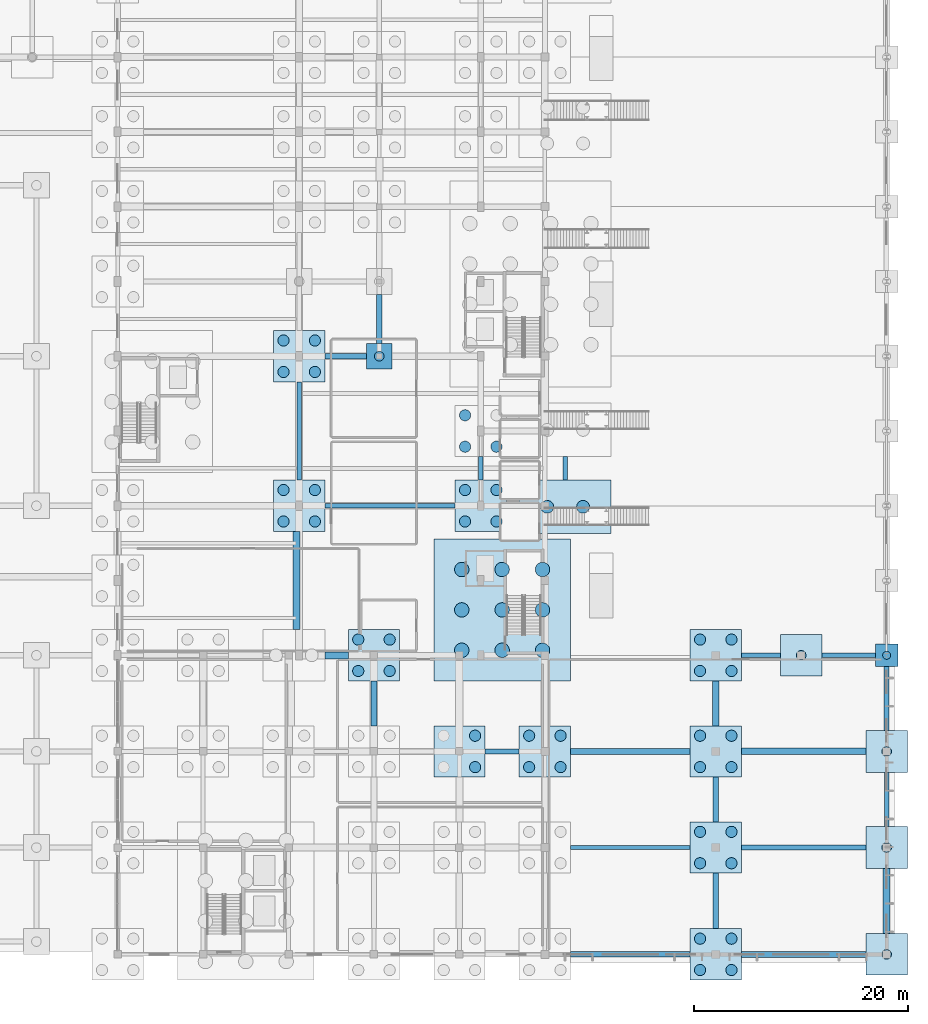
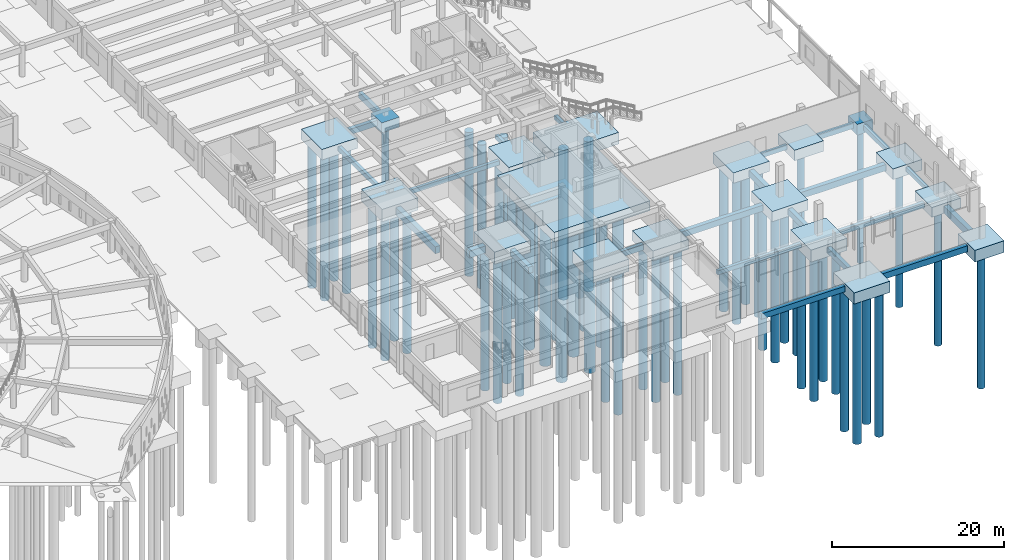
# One storey, part 9 of 84: 58 piles, 42 footings.
"""IFC4 building model written with IfcOpenShell, lengths in metres."""

from ifc_helpers import new_model, si_unit, direction, frame, origin, origin_2d, place, context, subcontext, project, spatial, rectangle, circle, extrude, material, material_profile, profile_set, type_object, element, save


model = new_model("IFC4")

# Units and contexts
model_context = context("Model", 3, precision=1e-05, world=origin(), true_north=direction((0.0, 1.0)))
body_context = subcontext(model_context, "Body", "Model", "MODEL_VIEW")
ifc_project = project(units=[si_unit("LENGTHUNIT", "METRE"), si_unit("AREAUNIT", "SQUARE_METRE"), si_unit("VOLUMEUNIT", "CUBIC_METRE"), si_unit("PLANEANGLEUNIT", "RADIAN"), si_unit("MASSUNIT", "GRAM", prefix="KILO")], contexts=[model_context])

# Site, building, storey
site_placement = place(None, origin())
site = spatial("IfcSite", under=ifc_project, at=site_placement, CompositionType="ELEMENT")
building_placement = place(site_placement, origin())
building = spatial("IfcBuilding", under=site, at=building_placement, Name="Larkveld Mobility Hub", CompositionType="ELEMENT")
storey_placement = place(building_placement, origin())
storey = spatial("IfcBuildingStorey", under=building, at=storey_placement, Name="L00", CompositionType="ELEMENT", Elevation=0.0)

# Footings
ifc_material = material(Name="Concrete C35/45", Category="concrete")
ifc_material_profile_1 = material_profile(ifc_material, rectangle(XDim=0.39990234375, YDim=0.60009765625, at=origin_2d()), Name="RC BM 400x600")
ifc_profile_set_1 = profile_set([ifc_material_profile_1], Name="Concrete C35/45")
footing_type_1 = type_object("IfcFootingType", Name="FT-FB01", PredefinedType="FOOTING_BEAM", material=ifc_profile_set_1)
footing_1_placement = place(storey_placement, frame((154.39990234375, 10.0, -0.64990234375), z_axis=(1.0, 0.0, 0.0), x_axis=(0.0, 1.0, 0.0)))
element("IfcFooting", 1, at=footing_1_placement, inside=storey, type_object=footing_type_1, Name="Ground Tie Beam GB-007", PredefinedType="FOOTING_BEAM", context=body_context, shape_type="SweptSolid", body=[
    extrude(rectangle(XDim=0.39990234375, YDim=0.60009765625, at=origin_2d()), origin(), (0.0, 0.0, 1.0), 11.2001953125),
])
footing_2_placement = place(storey_placement, frame((170.39990234375, 28.0, -0.64990234375), z_axis=(1.0, 0.0, 0.0), x_axis=(0.0, 1.0, 0.0)))
element("IfcFooting", 2, at=footing_2_placement, inside=storey, type_object=footing_type_1, Name="Ground Tie Beam GB-025", PredefinedType="FOOTING_BEAM", context=body_context, shape_type="SweptSolid", body=[
    extrude(rectangle(XDim=0.39990234375, YDim=0.60009765625, at=origin_2d()), origin(), (0.0, 0.0, 1.0), 3.650146484375),
])
footing_3_placement = place(storey_placement, frame((131.39990234375, 42.0, -0.64990234375), z_axis=(1.0, 0.0, 0.0), x_axis=(0.0, 1.0, 0.0)))
element("IfcFooting", 3, at=footing_3_placement, inside=storey, type_object=footing_type_1, Name="Ground Tie Beam GB-031", PredefinedType="FOOTING_BEAM", context=body_context, shape_type="SweptSolid", body=[
    extrude(rectangle(XDim=0.39990234375, YDim=0.60009765625, at=origin_2d()), origin(), (0.0, 0.0, 1.0), 12.2001953125),
])
footing_4_placement = place(storey_placement, frame((129.0, 44.39990234375, -0.64990234375), z_axis=(0.0, 1.0, 0.0), x_axis=(-1.0, 0.0, 0.0)))
element("IfcFooting", 4, at=footing_4_placement, inside=storey, type_object=footing_type_1, Name="Ground Tie Beam GB-157", PredefinedType="FOOTING_BEAM", context=body_context, shape_type="SweptSolid", body=[
    extrude(rectangle(XDim=0.39990234375, YDim=0.60009765625, at=origin_2d()), origin(), (0.0, 0.0, 1.0), 9.2001953125),
])
for number, where, z_axis, x_axis, name in (
    (5, (146.0, 44.39990234375, -0.64990234375), (0.0, 1.0, 0.0), (-1.0, 0.0, 0.0), "Ground Tie Beam GB-175"),
    (6, (153.89990234375, 44.39990234375, -0.64990234375), (0.0, 1.0, 0.0), (-1.0, 0.0, 0.0), "Ground Tie Beam GB-187"),
):
    element("IfcFooting", number, at=place(storey_placement, frame(where, z_axis=z_axis, x_axis=x_axis)), inside=storey, type_object=footing_type_1, Name=name, PredefinedType="FOOTING_BEAM", context=body_context, shape_type="SweptSolid", body=[
        extrude(rectangle(XDim=0.39990234375, YDim=0.60009765625, at=origin_2d()), origin(), (0.0, 0.0, 1.0), 2.2001953125),
    ])
footing_5_placement = place(storey_placement, frame((184.0, 11.949951171875, -0.64990234375), z_axis=(0.0, 1.0, 0.0), x_axis=(-1.0, 0.0, 0.0)))
element("IfcFooting", 7, at=footing_5_placement, inside=storey, type_object=footing_type_1, Name="Ground Tie Beam GB-193", PredefinedType="FOOTING_BEAM", context=body_context, shape_type="SweptSolid", body=[
    extrude(rectangle(XDim=0.39990234375, YDim=0.60009765625, at=origin_2d()), origin(), (0.0, 0.0, 1.0), 5.10009765625),
])
ifc_material_profile_2 = material_profile(ifc_material, rectangle(XDim=0.449951171875, YDim=0.699951171875, at=origin_2d()), Name="RC BM 450x700")
ifc_profile_set_2 = profile_set([ifc_material_profile_2], Name="Concrete C35/45")
footing_type_2 = type_object("IfcFootingType", Name="FT-FB02", PredefinedType="FOOTING_BEAM", material=ifc_profile_set_2)
footing_6_placement = place(storey_placement, frame((170.39990234375, 10.0, -0.699951171875), z_axis=(1.0, 0.0, 0.0), x_axis=(0.0, 1.0, 0.0)))
element("IfcFooting", 8, at=footing_6_placement, inside=storey, type_object=footing_type_2, Name="Ground Tie Beam GB-008", PredefinedType="FOOTING_BEAM", context=body_context, shape_type="SweptSolid", body=[
    extrude(rectangle(XDim=0.449951171875, YDim=0.699951171875, at=origin_2d()), origin(), (0.0, 0.0, 1.0), 11.650146484375),
])
footing_7_placement = place(storey_placement, frame((177.949951171875, 28.0, -0.699951171875), z_axis=(1.0, 0.0, 0.0), x_axis=(0.0, 1.0, 0.0)))
element("IfcFooting", 9, at=footing_7_placement, inside=storey, type_object=footing_type_2, Name="Ground Tie Beam GB-026", PredefinedType="FOOTING_BEAM", context=body_context, shape_type="SweptSolid", body=[
    extrude(rectangle(XDim=0.449951171875, YDim=0.699951171875, at=origin_2d()), origin(), (0.0, 0.0, 1.0), 5.0),
])
footing_8_placement = place(storey_placement, frame((184.0, 20.949951171875, -0.699951171875), z_axis=(0.0, 1.0, 0.0), x_axis=(-1.0, 0.0, 0.0)))
element("IfcFooting", 10, at=footing_8_placement, inside=storey, type_object=footing_type_2, Name="Ground Tie Beam GB-194", PredefinedType="FOOTING_BEAM", context=body_context, shape_type="SweptSolid", body=[
    extrude(rectangle(XDim=0.449951171875, YDim=0.699951171875, at=origin_2d()), origin(), (0.0, 0.0, 1.0), 6.0),
])
ifc_material_profile_3 = material_profile(ifc_material, rectangle(XDim=0.5, YDim=0.800048828125, at=origin_2d()), Name="RC BM 500x800")
ifc_profile_set_3 = profile_set([ifc_material_profile_3], Name="Concrete C35/45")
footing_type_3 = type_object("IfcFootingType", Name="FT-FB03", PredefinedType="FOOTING_BEAM", material=ifc_profile_set_3)
footing_9_placement = place(storey_placement, frame((154.39990234375, 0.0, -0.75), z_axis=(1.0, 0.0, 0.0), x_axis=(0.0, 1.0, 0.0)))
element("IfcFooting", 11, at=footing_9_placement, inside=storey, type_object=footing_type_3, Name="Ground Tie Beam GB-003", PredefinedType="FOOTING_BEAM", context=body_context, shape_type="SweptSolid", body=[
    extrude(rectangle(XDim=0.5, YDim=0.800048828125, at=origin_2d()), origin(), (0.0, 0.0, 1.0), 11.2001953125),
])
footing_10_placement = place(storey_placement, frame((146.39990234375, 19.0, -0.75), z_axis=(1.0, 0.0, 0.0), x_axis=(0.0, 1.0, 0.0)))
element("IfcFooting", 12, at=footing_10_placement, inside=storey, type_object=footing_type_3, Name="Ground Tie Beam GB-015", PredefinedType="FOOTING_BEAM", context=body_context, shape_type="SweptSolid", body=[
    extrude(rectangle(XDim=0.5, YDim=0.800048828125, at=origin_2d()), origin(), (0.0, 0.0, 1.0), 3.2001953125),
])
footing_11_placement = place(storey_placement, frame((168.0, 2.39990234375, -0.75), z_axis=(0.0, 1.0, 0.0), x_axis=(-1.0, 0.0, 0.0)))
element("IfcFooting", 13, at=footing_11_placement, inside=storey, type_object=footing_type_3, Name="Ground Tie Beam GB-189", PredefinedType="FOOTING_BEAM", context=body_context, shape_type="SweptSolid", body=[
    extrude(rectangle(XDim=0.5, YDim=0.800048828125, at=origin_2d()), origin(), (0.0, 0.0, 1.0), 5.2001953125),
])
footing_12_placement = place(storey_placement, frame((131.39990234375, 56.0, -0.580078125), z_axis=(1.0, 0.0, 0.0), x_axis=(0.0, 1.0, 0.0)))
element("IfcFooting", 14, at=footing_12_placement, inside=storey, type_object=footing_type_3, Name="Passage Ground Tie Beam PGB-011", PredefinedType="FOOTING_BEAM", context=body_context, shape_type="SweptSolid", body=[
    extrude(rectangle(XDim=0.5, YDim=0.800048828125, at=origin_2d()), origin(), (0.0, 0.0, 1.0), 3.900146484375),
])
footing_13_placement = place(storey_placement, frame((136.5, 57.199951171875, -0.580078125), z_axis=(0.0, 1.0, 0.0), x_axis=(-1.0, 0.0, 0.0)))
element("IfcFooting", 15, at=footing_13_placement, inside=storey, type_object=footing_type_3, Name="Passage Ground Tie Beam PGB-030", PredefinedType="FOOTING_BEAM", context=body_context, shape_type="SweptSolid", body=[
    extrude(rectangle(XDim=0.5, YDim=0.800048828125, at=origin_2d()), origin(), (0.0, 0.0, 1.0), 4.60009765625),
])
ifc_material_profile_4 = material_profile(ifc_material, rectangle(XDim=0.550048828125, YDim=0.85009765625, at=origin_2d()), Name="RC BM 550x850")
ifc_profile_set_4 = profile_set([ifc_material_profile_4], Name="Concrete C35/45")
footing_type_4 = type_object("IfcFootingType", Name="FT-FB04", PredefinedType="FOOTING_BEAM", material=ifc_profile_set_4)
footing_14_placement = place(storey_placement, frame((170.39990234375, 0.0, -0.77490234375), z_axis=(1.0, 0.0, 0.0), x_axis=(0.0, 1.0, 0.0)))
element("IfcFooting", 16, at=footing_14_placement, inside=storey, type_object=footing_type_4, Name="Ground Tie Beam GB-004", PredefinedType="FOOTING_BEAM", context=body_context, shape_type="SweptSolid", body=[
    extrude(rectangle(XDim=0.550048828125, YDim=0.85009765625, at=origin_2d()), origin(), (0.0, 0.0, 1.0), 11.650146484375),
])
footing_15_placement = place(storey_placement, frame((154.39990234375, 19.0, -0.77490234375), z_axis=(1.0, 0.0, 0.0), x_axis=(0.0, 1.0, 0.0)))
element("IfcFooting", 17, at=footing_15_placement, inside=storey, type_object=footing_type_4, Name="Ground Tie Beam GB-016", PredefinedType="FOOTING_BEAM", context=body_context, shape_type="SweptSolid", body=[
    extrude(rectangle(XDim=0.550048828125, YDim=0.85009765625, at=origin_2d()), origin(), (0.0, 0.0, 1.0), 11.2001953125),
])
footing_16_placement = place(storey_placement, frame((168.0, 12.39990234375, -0.77490234375), z_axis=(0.0, 1.0, 0.0), x_axis=(-1.0, 0.0, 0.0)))
element("IfcFooting", 18, at=footing_16_placement, inside=storey, type_object=footing_type_4, Name="Ground Tie Beam GB-190", PredefinedType="FOOTING_BEAM", context=body_context, shape_type="SweptSolid", body=[
    extrude(rectangle(XDim=0.550048828125, YDim=0.85009765625, at=origin_2d()), origin(), (0.0, 0.0, 1.0), 4.2001953125),
])
ifc_material_profile_5 = material_profile(ifc_material, rectangle(XDim=0.60009765625, YDim=0.89990234375, at=origin_2d()), Name="RC BM 600x900")
ifc_profile_set_5 = profile_set([ifc_material_profile_5], Name="Concrete C35/45")
footing_type_5 = type_object("IfcFootingType", Name="FT-FB05", PredefinedType="FOOTING_BEAM", material=ifc_profile_set_5)
footing_17_placement = place(storey_placement, frame((170.39990234375, 19.0, -0.800048828125), z_axis=(1.0, 0.0, 0.0), x_axis=(0.0, 1.0, 0.0)))
element("IfcFooting", 19, at=footing_17_placement, inside=storey, type_object=footing_type_5, Name="Ground Tie Beam GB-017", PredefinedType="FOOTING_BEAM", context=body_context, shape_type="SweptSolid", body=[
    extrude(rectangle(XDim=0.60009765625, YDim=0.89990234375, at=origin_2d()), origin(), (0.0, 0.0, 1.0), 11.650146484375),
])
for number, where, z_axis, x_axis, name in (
    (20, (136.0, 21.39990234375, -0.800048828125), (0.0, 1.0, 0.0), (-1.0, 0.0, 0.0), "Ground Tie Beam GB-167"),
    (21, (168.0, 21.39990234375, -0.800048828125), (0.0, 1.0, 0.0), (-1.0, 0.0, 0.0), "Ground Tie Beam GB-191"),
):
    element("IfcFooting", number, at=place(storey_placement, frame(where, z_axis=z_axis, x_axis=x_axis)), inside=storey, type_object=footing_type_5, Name=name, PredefinedType="FOOTING_BEAM", context=body_context, shape_type="SweptSolid", body=[
        extrude(rectangle(XDim=0.60009765625, YDim=0.89990234375, at=origin_2d()), origin(), (0.0, 0.0, 1.0), 4.2001953125),
    ])
ifc_material_profile_6 = material_profile(ifc_material, rectangle(XDim=0.64990234375, YDim=1.0, at=origin_2d()), Name="RC BM 650x1000")
ifc_profile_set_6 = profile_set([ifc_material_profile_6], Name="Concrete C35/45")
footing_type_6 = type_object("IfcFootingType", Name="FT-FB06", PredefinedType="FOOTING_BEAM", material=ifc_profile_set_6)
footing_18_placement = place(storey_placement, frame((131.39990234375, 28.0, -0.85009765625), z_axis=(1.0, 0.0, 0.0), x_axis=(0.0, 1.0, 0.0)))
element("IfcFooting", 22, at=footing_18_placement, inside=storey, type_object=footing_type_6, Name="Ground Tie Beam GB-024", PredefinedType="FOOTING_BEAM", context=body_context, shape_type="SweptSolid", body=[
    extrude(rectangle(XDim=0.64990234375, YDim=1.0, at=origin_2d()), origin(), (0.0, 0.0, 1.0), 2.2001953125),
])
footing_19_placement = place(storey_placement, frame((128.75, 30.39990234375, -0.85009765625), z_axis=(0.0, 1.0, 0.0), x_axis=(-1.0, 0.0, 0.0)))
element("IfcFooting", 23, at=footing_19_placement, inside=storey, type_object=footing_type_6, Name="Ground Tie Beam GB-156", PredefinedType="FOOTING_BEAM", context=body_context, shape_type="SweptSolid", body=[
    extrude(rectangle(XDim=0.64990234375, YDim=1.0, at=origin_2d()), origin(), (0.0, 0.0, 1.0), 9.2001953125),
])
footing_20_placement = place(storey_placement, frame((184.0, 1.949951171875, -0.85009765625), z_axis=(0.0, 1.0, 0.0), x_axis=(-1.0, 0.0, 0.0)))
element("IfcFooting", 24, at=footing_20_placement, inside=storey, type_object=footing_type_6, Name="Ground Tie Beam GB-192", PredefinedType="FOOTING_BEAM", context=body_context, shape_type="SweptSolid", body=[
    extrude(rectangle(XDim=0.64990234375, YDim=1.0, at=origin_2d()), origin(), (0.0, 0.0, 1.0), 6.10009765625),
])
footing_type_7 = type_object("IfcFootingType", Name="FT-PC01", PredefinedType="PILE_CAP", material=ifc_material)
footing_21_placement = place(storey_placement, frame((184.0, 10.0, -1.39990234375), z_axis=(0.0, 0.0, 1.0), x_axis=(1.0, 0.0, 0.0)))
element("IfcFooting", 25, at=footing_21_placement, inside=storey, type_object=footing_type_7, Name="Pile Cap PC-017", PredefinedType="PILE_CAP", context=body_context, shape_type="SweptSolid", body=[
    extrude(rectangle(XDim=3.89990234375, YDim=3.89990234375, at=origin_2d()), origin(), (0.0, 0.0, 1.0), 1.39990234375),
])
footing_22_placement = place(storey_placement, frame((152.0, 19.0, -1.39990234375), z_axis=(0.0, 0.0, 1.0), x_axis=(1.0, 0.0, 0.0)))
element("IfcFooting", 26, at=footing_22_placement, inside=storey, type_object=footing_type_7, Name="Pile Cap PC-033", PredefinedType="PILE_CAP", context=body_context, shape_type="SweptSolid", body=[
    extrude(rectangle(XDim=4.800048828125, YDim=4.800048828125, at=origin_2d()), origin(), (0.0, 0.0, 1.0), 1.39990234375),
])
footing_23_placement = place(storey_placement, frame((148.0, 32.25, -1.39990234375), z_axis=(0.0, 0.0, 1.0), x_axis=(1.0, 0.0, 0.0)))
element("IfcFooting", 27, at=footing_23_placement, inside=storey, type_object=footing_type_7, Name="Pile Cap PC-049", PredefinedType="PILE_CAP", context=body_context, shape_type="SweptSolid", body=[
    extrude(rectangle(XDim=12.800048828125, YDim=13.300048828125, at=origin_2d()), origin(), (0.0, 0.0, 1.0), 1.39990234375),
])
footing_type_8 = type_object("IfcFootingType", Name="FT-PC02", PredefinedType="PILE_CAP", material=ifc_material)
for number, where, z_axis, x_axis, name in (
    (28, (168.0, 19.0, -1.4501953125), (0.0, 0.0, 1.0), (1.0, 0.0, 0.0), "Pile Cap PC-034"),
    (29, (168.0, 28.0, -1.4501953125), (0.0, 0.0, 1.0), (1.0, 0.0, 0.0), "Pile Cap PC-050"),
):
    element("IfcFooting", number, at=place(storey_placement, frame(where, z_axis=z_axis, x_axis=x_axis)), inside=storey, type_object=footing_type_8, Name=name, PredefinedType="PILE_CAP", context=body_context, shape_type="SweptSolid", body=[
        extrude(rectangle(XDim=4.800048828125, YDim=4.800048828125, at=origin_2d()), origin(), (0.0, 0.0, 1.0), 1.449951171875),
    ])
footing_type_9 = type_object("IfcFootingType", Name="FT-PC03", PredefinedType="PILE_CAP", material=ifc_material)
for number, where, z_axis, x_axis, name in (
    (30, (184.0, 19.0, -1.5), (0.0, 0.0, 1.0), (1.0, 0.0, 0.0), "Pile Cap PC-035"),
    (31, (176.0, 28.0, -1.5), (0.0, 0.0, 1.0), (1.0, 0.0, 0.0), "Pile Cap PC-051"),
):
    element("IfcFooting", number, at=place(storey_placement, frame(where, z_axis=z_axis, x_axis=x_axis)), inside=storey, type_object=footing_type_9, Name=name, PredefinedType="PILE_CAP", context=body_context, shape_type="SweptSolid", body=[
        extrude(rectangle(XDim=3.89990234375, YDim=3.89990234375, at=origin_2d()), origin(), (0.0, 0.0, 1.0), 1.5),
    ])
footing_type_10 = type_object("IfcFootingType", Name="FT-PC04", PredefinedType="PILE_CAP", material=ifc_material)
footing_24_placement = place(storey_placement, frame((184.0, 28.0, -1.5498046875), z_axis=(0.0, 0.0, 1.0), x_axis=(1.0, 0.0, 0.0)))
element("IfcFooting", 32, at=footing_24_placement, inside=storey, type_object=footing_type_10, Name="Pile Cap PC-052", PredefinedType="PILE_CAP", context=body_context, shape_type="SweptSolid", body=[
    extrude(rectangle(XDim=2.10009765625, YDim=2.10009765625, at=origin_2d()), origin(), (0.0, 0.0, 1.0), 1.550048828125),
])
footing_type_11 = type_object("IfcFootingType", Name="FT-PC06", PredefinedType="PILE_CAP", material=ifc_material)
footing_25_placement = place(storey_placement, frame((168.0, 0.0, -1.60009765625), z_axis=(0.0, 0.0, 1.0), x_axis=(1.0, 0.0, 0.0)))
element("IfcFooting", 33, at=footing_25_placement, inside=storey, type_object=footing_type_11, Name="Pile Cap PC-006", PredefinedType="PILE_CAP", context=body_context, shape_type="SweptSolid", body=[
    extrude(rectangle(XDim=4.800048828125, YDim=4.800048828125, at=origin_2d()), origin(), (0.0, 0.0, 1.0), 1.60009765625),
])
footing_type_12 = type_object("IfcFootingType", Name="FT-PC07", PredefinedType="PILE_CAP", material=ifc_material)
footing_26_placement = place(storey_placement, frame((184.0, 0.0, -1.64990234375), z_axis=(0.0, 0.0, 1.0), x_axis=(1.0, 0.0, 0.0)))
element("IfcFooting", 34, at=footing_26_placement, inside=storey, type_object=footing_type_12, Name="Pile Cap PC-007", PredefinedType="PILE_CAP", context=body_context, shape_type="SweptSolid", body=[
    extrude(rectangle(XDim=3.89990234375, YDim=3.89990234375, at=origin_2d()), origin(), (0.0, 0.0, 1.0), 1.64990234375),
])
footing_27_placement = place(storey_placement, frame((153.89990234375, 41.89990234375, -1.64990234375), z_axis=(0.0, 0.0, 1.0), x_axis=(1.0, 0.0, 0.0)))
element("IfcFooting", 35, at=footing_27_placement, inside=storey, type_object=footing_type_12, Name="Pile Cap PC-071", PredefinedType="PILE_CAP", context=body_context, shape_type="SweptSolid", body=[
    extrude(rectangle(XDim=8.60009765625, YDim=5.0, at=origin_2d()), origin(), (0.0, 0.0, 1.0), 1.64990234375),
])
footing_type_13 = type_object("IfcFootingType", Name="FT-PC09", PredefinedType="PILE_CAP", material=ifc_material)
footing_28_placement = place(storey_placement, frame((129.0, 42.0, -1.75), z_axis=(0.0, 0.0, 1.0), x_axis=(1.0, 0.0, 0.0)))
element("IfcFooting", 36, at=footing_28_placement, inside=storey, type_object=footing_type_13, Name="Pile Cap PC-073", PredefinedType="PILE_CAP", context=body_context, shape_type="SweptSolid", body=[
    extrude(rectangle(XDim=4.800048828125, YDim=4.800048828125, at=origin_2d()), origin(), (0.0, 0.0, 1.0), 1.75),
])
footing_type_14 = type_object("IfcFootingType", Name="FT-PC10", PredefinedType="PILE_CAP", material=ifc_material)
footing_29_placement = place(storey_placement, frame((146.0, 42.0, -1.75), z_axis=(0.0, 0.0, 1.0), x_axis=(1.0, 0.0, 0.0)))
element("IfcFooting", 37, at=footing_29_placement, inside=storey, type_object=footing_type_14, Name="Pile Cap PC-074", PredefinedType="PILE_CAP", context=body_context, shape_type="SweptSolid", body=[
    extrude(rectangle(XDim=4.800048828125, YDim=4.800048828125, at=origin_2d()), origin(), (0.0, 0.0, 1.0), 1.75),
])
footing_type_15 = type_object("IfcFootingType", Name="FT-PC13", PredefinedType="PILE_CAP", material=ifc_material)
footing_30_placement = place(storey_placement, frame((136.5, 56.0, -1.419921875), z_axis=(0.0, 0.0, 1.0), x_axis=(1.0, 0.0, 0.0)))
element("IfcFooting", 38, at=footing_30_placement, inside=storey, type_object=footing_type_15, Name="Plinth Pile Cap PC-DL04", PredefinedType="PILE_CAP", context=body_context, shape_type="SweptSolid", body=[
    extrude(rectangle(XDim=2.39990234375, YDim=2.39990234375, at=origin_2d()), origin(), (0.0, 0.0, 1.0), 1.419921875),
])
footing_type_16 = type_object("IfcFootingType", Name="FT-PC14", PredefinedType="PILE_CAP", material=ifc_material)
footing_31_placement = place(storey_placement, frame((129.0, 56.0, -1.47998046875), z_axis=(0.0, 0.0, 1.0), x_axis=(1.0, 0.0, 0.0)))
element("IfcFooting", 39, at=footing_31_placement, inside=storey, type_object=footing_type_16, Name="Pile Cap PC-094", PredefinedType="PILE_CAP", context=body_context, shape_type="SweptSolid", body=[
    extrude(rectangle(XDim=4.800048828125, YDim=4.800048828125, at=origin_2d()), origin(), (0.0, 0.0, 1.0), 1.47998046875),
])
footing_type_17 = type_object("IfcFootingType", Name="FT-PC16", PredefinedType="PILE_CAP", material=ifc_material)
for number, where, z_axis, x_axis, name in (
    (40, (168.0, 10.0, -1.72021484375), (0.0, 0.0, 1.0), (1.0, 0.0, 0.0), "Pile Cap PC-016"),
    (41, (144.0, 19.0, -1.72021484375), (0.0, 0.0, 1.0), (1.0, 0.0, 0.0), "Pile Cap PC-032"),
    (42, (136.0, 28.0, -1.72021484375), (0.0, 0.0, 1.0), (1.0, 0.0, 0.0), "Pile Cap PC-048"),
):
    element("IfcFooting", number, at=place(storey_placement, frame(where, z_axis=z_axis, x_axis=x_axis)), inside=storey, type_object=footing_type_17, Name=name, PredefinedType="PILE_CAP", context=body_context, shape_type="SweptSolid", body=[
        extrude(rectangle(XDim=4.800048828125, YDim=4.800048828125, at=origin_2d()), origin(), (0.0, 0.0, 1.0), 1.719970703125),
    ])

# Piles
ifc_material_profile_7 = material_profile(ifc_material, circle(Radius=0.375, at=origin_2d()), Name="PILE D750")
ifc_profile_set_7 = profile_set([ifc_material_profile_7], Name="Concrete C35/45")
pile_type_1 = type_object("IfcPileType", Name="PL-B0750", PredefinedType="BORED", material=ifc_profile_set_7)
pile_1_placement = place(storey_placement, frame((184.0, 28.0, -1.449951171875), z_axis=(0.0, 0.0, -1.0), x_axis=(1.0, 0.0, 0.0)))
element("IfcPile", 43, at=pile_1_placement, inside=storey, type_object=pile_type_1, Name="Bored Pile P-0180", PredefinedType="BORED", context=body_context, shape_type="SweptSolid", body=[
    extrude(circle(Radius=0.375, at=origin_2d()), origin(), (0.0, 0.0, 1.0), 19.050048828125),
])
ifc_material_profile_8 = material_profile(ifc_material, circle(Radius=0.449951171875, at=origin_2d()), Name="PILE D900")
ifc_profile_set_8 = profile_set([ifc_material_profile_8], Name="Concrete C35/45")
pile_type_2 = type_object("IfcPileType", Name="PL-B0900", PredefinedType="BORED", material=ifc_profile_set_8)
pile_2_placement = place(storey_placement, frame((184.0, 0.0, -1.550048828125), z_axis=(0.0, 0.0, -1.0), x_axis=(1.0, 0.0, 0.0)))
element("IfcPile", 44, at=pile_2_placement, inside=storey, type_object=pile_type_2, Name="Bored Pile P-0033", PredefinedType="BORED", context=body_context, shape_type="SweptSolid", body=[
    extrude(circle(Radius=0.449951171875, at=origin_2d()), origin(), (0.0, 0.0, 1.0), 19.64990234375),
])
pile_3_placement = place(storey_placement, frame((184.0, 10.0, -1.300048828125), z_axis=(0.0, 0.0, -1.0), x_axis=(1.0, 0.0, 0.0)))
element("IfcPile", 45, at=pile_3_placement, inside=storey, type_object=pile_type_2, Name="Bored Pile P-0070", PredefinedType="BORED", context=body_context, shape_type="SweptSolid", body=[
    extrude(circle(Radius=0.449951171875, at=origin_2d()), origin(), (0.0, 0.0, 1.0), 19.89990234375),
])
for number, where, z_axis, x_axis, name in (
    (46, (184.0, 19.0, -1.39990234375), (0.0, 0.0, -1.0), (1.0, 0.0, 0.0), "Bored Pile P-0130"),
    (47, (176.0, 28.0, -1.39990234375), (0.0, 0.0, -1.0), (1.0, 0.0, 0.0), "Bored Pile P-0179"),
):
    element("IfcPile", number, at=place(storey_placement, frame(where, z_axis=z_axis, x_axis=x_axis)), inside=storey, type_object=pile_type_2, Name=name, PredefinedType="BORED", context=body_context, shape_type="SweptSolid", body=[
        extrude(circle(Radius=0.449951171875, at=origin_2d()), origin(), (0.0, 0.0, 1.0), 19.800048828125),
    ])
pile_4_placement = place(storey_placement, frame((136.5, 56.0, -1.320068359375), z_axis=(0.0, 0.0, -1.0), x_axis=(1.0, 0.0, 0.0)))
element("IfcPile", 48, at=pile_4_placement, inside=storey, type_object=pile_type_2, Name="Bored Pile P-DL04", PredefinedType="BORED", context=body_context, shape_type="SweptSolid", body=[
    extrude(circle(Radius=0.449951171875, at=origin_2d()), origin(), (0.0, 0.0, 1.0), 19.8798828125),
])
ifc_material_profile_9 = material_profile(ifc_material, circle(Radius=0.52490234375, at=origin_2d()), Name="PILE D1050")
ifc_profile_set_9 = profile_set([ifc_material_profile_9], Name="Concrete C35/45")
pile_type_3 = type_object("IfcPileType", Name="PL-B1050", PredefinedType="BORED", material=ifc_profile_set_9)
for number, where, z_axis, x_axis, name in (
    (49, (166.530029296875, -1.469970703125, -1.5), (0.0, 0.0, -1.0), (1.0, 0.0, 0.0), "Bored Pile P-0029"),
    (50, (166.530029296875, 1.469970703125, -1.5), (0.0, 0.0, -1.0), (1.0, 0.0, 0.0), "Bored Pile P-0030"),
    (51, (169.469970703125, -1.469970703125, -1.5), (0.0, 0.0, -1.0), (1.0, 0.0, 0.0), "Bored Pile P-0031"),
    (52, (169.469970703125, 1.469970703125, -1.5), (0.0, 0.0, -1.0), (1.0, 0.0, 0.0), "Bored Pile P-0032"),
):
    element("IfcPile", number, at=place(storey_placement, frame(where, z_axis=z_axis, x_axis=x_axis)), inside=storey, type_object=pile_type_3, Name=name, PredefinedType="BORED", context=body_context, shape_type="SweptSolid", body=[
        extrude(circle(Radius=0.52490234375, at=origin_2d()), origin(), (0.0, 0.0, 1.0), 20.5),
    ])
for number, where, z_axis, x_axis, name in (
    (53, (166.530029296875, 8.530029296875, -1.6201171875), (0.0, 0.0, -1.0), (1.0, 0.0, 0.0), "Bored Pile P-0066"),
    (54, (166.530029296875, 11.469970703125, -1.6201171875), (0.0, 0.0, -1.0), (1.0, 0.0, 0.0), "Bored Pile P-0067"),
    (55, (169.469970703125, 8.530029296875, -1.6201171875), (0.0, 0.0, -1.0), (1.0, 0.0, 0.0), "Bored Pile P-0068"),
    (56, (169.469970703125, 11.469970703125, -1.6201171875), (0.0, 0.0, -1.0), (1.0, 0.0, 0.0), "Bored Pile P-0069"),
    (57, (145.469970703125, 17.530029296875, -1.6201171875), (0.0, 0.0, -1.0), (1.0, 0.0, 0.0), "Bored Pile P-0120"),
    (58, (145.469970703125, 20.469970703125, -1.6201171875), (0.0, 0.0, -1.0), (1.0, 0.0, 0.0), "Bored Pile P-0121"),
):
    element("IfcPile", number, at=place(storey_placement, frame(where, z_axis=z_axis, x_axis=x_axis)), inside=storey, type_object=pile_type_3, Name=name, PredefinedType="BORED", context=body_context, shape_type="SweptSolid", body=[
        extrude(circle(Radius=0.52490234375, at=origin_2d()), origin(), (0.0, 0.0, 1.0), 20.3798828125),
    ])
for number, where, z_axis, x_axis, name in (
    (59, (150.530029296875, 17.530029296875, -1.300048828125), (0.0, 0.0, -1.0), (1.0, 0.0, 0.0), "Bored Pile P-0122"),
    (60, (150.530029296875, 20.469970703125, -1.300048828125), (0.0, 0.0, -1.0), (1.0, 0.0, 0.0), "Bored Pile P-0123"),
    (61, (153.469970703125, 17.530029296875, -1.300048828125), (0.0, 0.0, -1.0), (1.0, 0.0, 0.0), "Bored Pile P-0124"),
    (62, (153.469970703125, 20.469970703125, -1.300048828125), (0.0, 0.0, -1.0), (1.0, 0.0, 0.0), "Bored Pile P-0125"),
):
    element("IfcPile", number, at=place(storey_placement, frame(where, z_axis=z_axis, x_axis=x_axis)), inside=storey, type_object=pile_type_3, Name=name, PredefinedType="BORED", context=body_context, shape_type="SweptSolid", body=[
        extrude(circle(Radius=0.52490234375, at=origin_2d()), origin(), (0.0, 0.0, 1.0), 20.699951171875),
    ])
for number, where, z_axis, x_axis, name in (
    (63, (166.530029296875, 17.530029296875, -1.35009765625), (0.0, 0.0, -1.0), (1.0, 0.0, 0.0), "Bored Pile P-0126"),
    (64, (166.530029296875, 20.469970703125, -1.35009765625), (0.0, 0.0, -1.0), (1.0, 0.0, 0.0), "Bored Pile P-0127"),
    (65, (169.469970703125, 17.530029296875, -1.35009765625), (0.0, 0.0, -1.0), (1.0, 0.0, 0.0), "Bored Pile P-0128"),
    (66, (169.469970703125, 20.469970703125, -1.35009765625), (0.0, 0.0, -1.0), (1.0, 0.0, 0.0), "Bored Pile P-0129"),
):
    element("IfcPile", number, at=place(storey_placement, frame(where, z_axis=z_axis, x_axis=x_axis)), inside=storey, type_object=pile_type_3, Name=name, PredefinedType="BORED", context=body_context, shape_type="SweptSolid", body=[
        extrude(circle(Radius=0.52490234375, at=origin_2d()), origin(), (0.0, 0.0, 1.0), 20.64990234375),
    ])
for number, where, z_axis, x_axis, name in (
    (67, (134.530029296875, 26.530029296875, -1.6201171875), (0.0, 0.0, -1.0), (1.0, 0.0, 0.0), "Bored Pile P-0162"),
    (68, (134.530029296875, 29.469970703125, -1.6201171875), (0.0, 0.0, -1.0), (1.0, 0.0, 0.0), "Bored Pile P-0163"),
    (69, (137.469970703125, 26.530029296875, -1.6201171875), (0.0, 0.0, -1.0), (1.0, 0.0, 0.0), "Bored Pile P-0164"),
    (70, (137.469970703125, 29.469970703125, -1.6201171875), (0.0, 0.0, -1.0), (1.0, 0.0, 0.0), "Bored Pile P-0165"),
):
    element("IfcPile", number, at=place(storey_placement, frame(where, z_axis=z_axis, x_axis=x_axis)), inside=storey, type_object=pile_type_3, Name=name, PredefinedType="BORED", context=body_context, shape_type="SweptSolid", body=[
        extrude(circle(Radius=0.52490234375, at=origin_2d()), origin(), (0.0, 0.0, 1.0), 20.3798828125),
    ])
for number, where, z_axis, x_axis, name in (
    (71, (166.530029296875, 26.530029296875, -1.35009765625), (0.0, 0.0, -1.0), (1.0, 0.0, 0.0), "Bored Pile P-0175"),
    (72, (166.530029296875, 29.469970703125, -1.35009765625), (0.0, 0.0, -1.0), (1.0, 0.0, 0.0), "Bored Pile P-0176"),
    (73, (169.469970703125, 26.530029296875, -1.35009765625), (0.0, 0.0, -1.0), (1.0, 0.0, 0.0), "Bored Pile P-0177"),
    (74, (169.469970703125, 29.469970703125, -1.35009765625), (0.0, 0.0, -1.0), (1.0, 0.0, 0.0), "Bored Pile P-0178"),
):
    element("IfcPile", number, at=place(storey_placement, frame(where, z_axis=z_axis, x_axis=x_axis)), inside=storey, type_object=pile_type_3, Name=name, PredefinedType="BORED", context=body_context, shape_type="SweptSolid", body=[
        extrude(circle(Radius=0.52490234375, at=origin_2d()), origin(), (0.0, 0.0, 1.0), 20.64990234375),
    ])
for number, where, z_axis, x_axis, name in (
    (75, (127.530029296875, 40.530029296875, -1.64990234375), (0.0, 0.0, -1.0), (1.0, 0.0, 0.0), "Bored Pile P-0226"),
    (76, (127.530029296875, 43.469970703125, -1.64990234375), (0.0, 0.0, -1.0), (1.0, 0.0, 0.0), "Bored Pile P-0227"),
    (77, (130.469970703125, 40.530029296875, -1.64990234375), (0.0, 0.0, -1.0), (1.0, 0.0, 0.0), "Bored Pile P-0228"),
    (78, (130.469970703125, 43.469970703125, -1.64990234375), (0.0, 0.0, -1.0), (1.0, 0.0, 0.0), "Bored Pile P-0229"),
    (79, (144.530029296875, 40.530029296875, -1.64990234375), (0.0, 0.0, -1.0), (1.0, 0.0, 0.0), "Bored Pile P-0230"),
    (80, (144.530029296875, 43.469970703125, -1.64990234375), (0.0, 0.0, -1.0), (1.0, 0.0, 0.0), "Bored Pile P-0231"),
    (81, (147.469970703125, 40.530029296875, -1.64990234375), (0.0, 0.0, -1.0), (1.0, 0.0, 0.0), "Bored Pile P-0232"),
    (82, (147.469970703125, 43.469970703125, -1.64990234375), (0.0, 0.0, -1.0), (1.0, 0.0, 0.0), "Bored Pile P-0233"),
):
    element("IfcPile", number, at=place(storey_placement, frame(where, z_axis=z_axis, x_axis=x_axis)), inside=storey, type_object=pile_type_3, Name=name, PredefinedType="BORED", context=body_context, shape_type="SweptSolid", body=[
        extrude(circle(Radius=0.52490234375, at=origin_2d()), origin(), (0.0, 0.0, 1.0), 20.35009765625),
    ])
for number, where, z_axis, x_axis, name in (
    (83, (144.530029296875, 47.530029296875, -1.60009765625), (0.0, 0.0, -1.0), (1.0, 0.0, 0.0), "Bored Pile P-0266"),
    (84, (144.530029296875, 50.469970703125, -1.60009765625), (0.0, 0.0, -1.0), (1.0, 0.0, 0.0), "Bored Pile P-0267"),
    (85, (147.469970703125, 47.530029296875, -1.60009765625), (0.0, 0.0, -1.0), (1.0, 0.0, 0.0), "Bored Pile P-0268"),
):
    element("IfcPile", number, at=place(storey_placement, frame(where, z_axis=z_axis, x_axis=x_axis)), inside=storey, type_object=pile_type_3, Name=name, PredefinedType="BORED", context=body_context, shape_type="SweptSolid", body=[
        extrude(circle(Radius=0.52490234375, at=origin_2d()), origin(), (0.0, 0.0, 1.0), 20.39990234375),
    ])
for number, where, z_axis, x_axis, name in (
    (86, (127.530029296875, 54.530029296875, -1.3798828125), (0.0, 0.0, -1.0), (1.0, 0.0, 0.0), "Bored Pile P-0291"),
    (87, (127.530029296875, 57.469970703125, -1.3798828125), (0.0, 0.0, -1.0), (1.0, 0.0, 0.0), "Bored Pile P-0292"),
    (88, (130.469970703125, 54.530029296875, -1.3798828125), (0.0, 0.0, -1.0), (1.0, 0.0, 0.0), "Bored Pile P-0293"),
    (89, (130.469970703125, 57.469970703125, -1.3798828125), (0.0, 0.0, -1.0), (1.0, 0.0, 0.0), "Bored Pile P-0294"),
):
    element("IfcPile", number, at=place(storey_placement, frame(where, z_axis=z_axis, x_axis=x_axis)), inside=storey, type_object=pile_type_3, Name=name, PredefinedType="BORED", context=body_context, shape_type="SweptSolid", body=[
        extrude(circle(Radius=0.52490234375, at=origin_2d()), origin(), (0.0, 0.0, 1.0), 20.6201171875),
    ])
ifc_material_profile_10 = material_profile(ifc_material, circle(Radius=0.60009765625, at=origin_2d()), Name="PILE D1200")
ifc_profile_set_10 = profile_set([ifc_material_profile_10], Name="Concrete C35/45")
pile_type_4 = type_object("IfcPileType", Name="PL-B1200", PredefinedType="BORED", material=ifc_profile_set_10)
for number, where, z_axis, x_axis, name in (
    (90, (152.219970703125, 41.89990234375, -1.550048828125), (0.0, 0.0, -1.0), (1.0, 0.0, 0.0), "Bored Pile P-0220"),
    (91, (155.580078125, 41.89990234375, -1.550048828125), (0.0, 0.0, -1.0), (1.0, 0.0, 0.0), "Bored Pile P-0221"),
):
    element("IfcPile", number, at=place(storey_placement, frame(where, z_axis=z_axis, x_axis=x_axis)), inside=storey, type_object=pile_type_4, Name=name, PredefinedType="BORED", context=body_context, shape_type="SweptSolid", body=[
        extrude(circle(Radius=0.60009765625, at=origin_2d()), origin(), (0.0, 0.0, 1.0), 21.25),
    ])
ifc_material_profile_11 = material_profile(ifc_material, circle(Radius=0.675048828125, at=origin_2d()), Name="PILE D1350")
ifc_profile_set_11 = profile_set([ifc_material_profile_11], Name="Concrete C35/45")
pile_type_5 = type_object("IfcPileType", Name="PL-B1350", PredefinedType="BORED", material=ifc_profile_set_11)
for number, where, z_axis, x_axis, name in (
    (92, (144.219970703125, 28.469970703125, -1.300048828125), (0.0, 0.0, -1.0), (1.0, 0.0, 0.0), "Bored Pile P-0166"),
    (93, (144.219970703125, 32.25, -1.300048828125), (0.0, 0.0, -1.0), (1.0, 0.0, 0.0), "Bored Pile P-0167"),
    (94, (144.219970703125, 36.030029296875, -1.300048828125), (0.0, 0.0, -1.0), (1.0, 0.0, 0.0), "Bored Pile P-0168"),
    (95, (148.0, 28.469970703125, -1.300048828125), (0.0, 0.0, -1.0), (1.0, 0.0, 0.0), "Bored Pile P-0169"),
    (96, (148.0, 32.25, -1.300048828125), (0.0, 0.0, -1.0), (1.0, 0.0, 0.0), "Bored Pile P-0170"),
    (97, (148.0, 36.030029296875, -1.300048828125), (0.0, 0.0, -1.0), (1.0, 0.0, 0.0), "Bored Pile P-0171"),
    (98, (151.780029296875, 28.469970703125, -1.300048828125), (0.0, 0.0, -1.0), (1.0, 0.0, 0.0), "Bored Pile P-0172"),
    (99, (151.780029296875, 32.25, -1.300048828125), (0.0, 0.0, -1.0), (1.0, 0.0, 0.0), "Bored Pile P-0173"),
    (100, (151.780029296875, 36.030029296875, -1.300048828125), (0.0, 0.0, -1.0), (1.0, 0.0, 0.0), "Bored Pile P-0174"),
):
    element("IfcPile", number, at=place(storey_placement, frame(where, z_axis=z_axis, x_axis=x_axis)), inside=storey, type_object=pile_type_5, Name=name, PredefinedType="BORED", context=body_context, shape_type="SweptSolid", body=[
        extrude(circle(Radius=0.675048828125, at=origin_2d()), origin(), (0.0, 0.0, 1.0), 22.199951171875),
    ])

save(model, "model.ifc")
